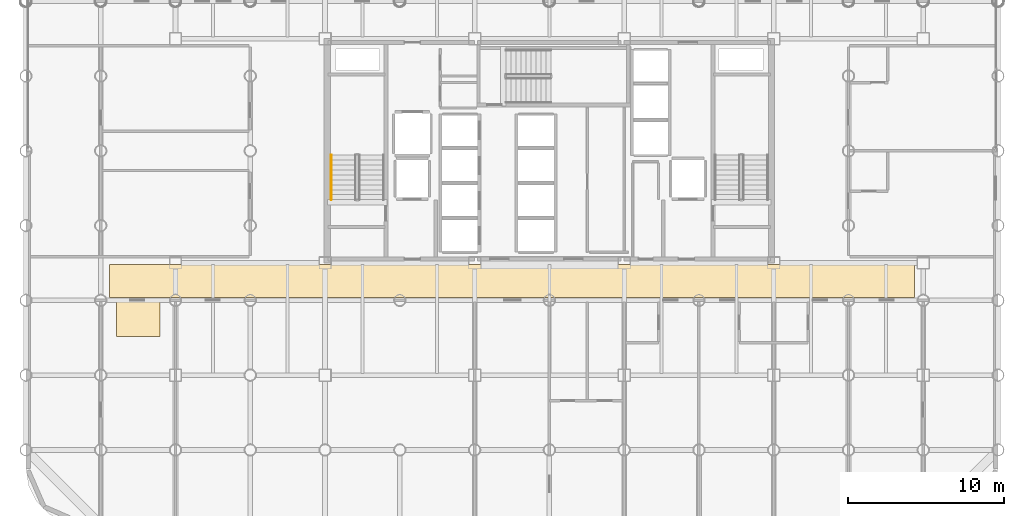
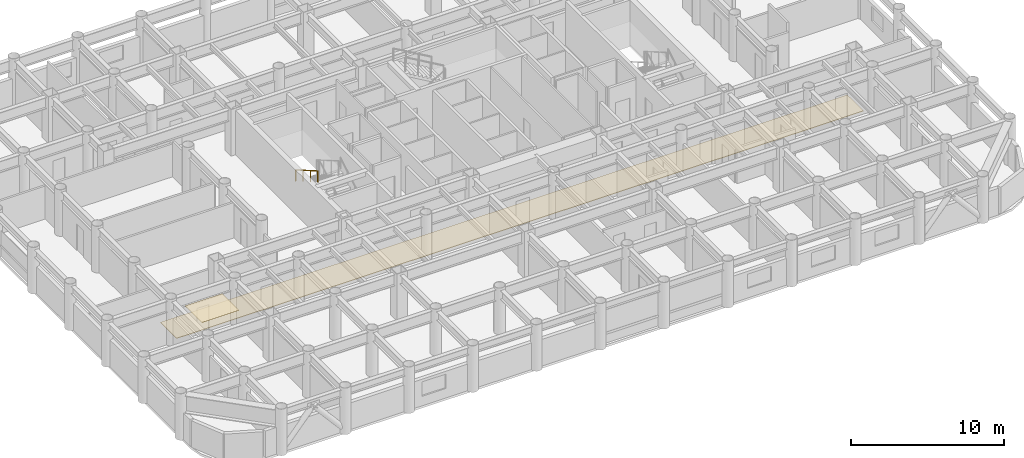
# One storey, part 21 of 22: 2 coverings, 1 railing.
"""IFC4 building model written with IfcOpenShell, lengths in metres."""

from ifc_helpers import new_model, si_unit, direction, frame, origin, origin_2d, place, context, subcontext, project, spatial, rectangle, circle, extrude, material, layer, layer_set, type_object, element, save


model = new_model("IFC4")

# Units and contexts
model_context = context("Model", 3, precision=1e-05, world=origin(), true_north=direction((0.0, 1.0)))
body_context = subcontext(model_context, "Body", "Model", "MODEL_VIEW")
ifc_project = project(units=[si_unit("LENGTHUNIT", "METRE"), si_unit("AREAUNIT", "SQUARE_METRE"), si_unit("VOLUMEUNIT", "CUBIC_METRE"), si_unit("PLANEANGLEUNIT", "RADIAN"), si_unit("MASSUNIT", "GRAM", prefix="KILO")], contexts=[model_context])

# Site, building, storey
site_placement = place(None, origin())
site = spatial("IfcSite", under=ifc_project, at=site_placement, CompositionType="ELEMENT")
building_placement = place(site_placement, origin())
building = spatial("IfcBuilding", under=site, at=building_placement, Name="Kallvorn Hotel Tower", CompositionType="ELEMENT")
storey_placement = place(building_placement, frame((0.0, 0.0, 48.5)))
storey = spatial("IfcBuildingStorey", under=building, at=storey_placement, Name="L10", CompositionType="ELEMENT", Elevation=48.5)

# Coverings
ifc_material_1 = material(Name="Mineral-fibre suspended acoustic ceiling tile")
ifc_layer_1 = layer(ifc_material_1, 0.030029296875)
ifc_layer_set_1 = layer_set([ifc_layer_1], Name="COV_CEILING_ACT")
covering_type_1 = type_object("IfcCoveringType", Name="COV_CEILING_ACT", PredefinedType="CEILING", material=ifc_layer_set_1)
covering_1_placement = place(storey_placement, frame((-26.39990234375, -10.820068359375, 2.634765625), z_axis=(0.0, 0.0, 1.0), x_axis=(1.0, 0.0, 0.0)))
element("IfcCovering", 1, at=covering_1_placement, inside=storey, type_object=covering_type_1, Name="L10 Suspended Acoustic Ceiling 01", PredefinedType="CEILING", context=body_context, shape_type="SweptSolid", body=[
    extrude(rectangle(XDim=2.800048828125, YDim=2.199951171875, at=origin_2d()), origin(), (0.0, 0.0, 1.0), 0.030029296875),
])
ifc_material_2 = material(Name="Honed Andean stone terrazzo floor finish", Category="masonry")
ifc_layer_2 = layer(ifc_material_2, 0.0400390625)
ifc_layer_set_2 = layer_set([ifc_layer_2], Name="COV_FLOOR_TERR")
covering_type_2 = type_object("IfcCoveringType", Name="COV_FLOOR_TERR", PredefinedType="FLOORING", material=ifc_layer_set_2)
covering_2_placement = place(storey_placement, frame((-2.39990234375, -8.35009765625, 0.0), z_axis=(0.0, 0.0, 1.0), x_axis=(1.0, 0.0, 0.0)))
element("IfcCovering", 2, at=covering_2_placement, inside=storey, type_object=covering_type_2, Name="L10 Honed Terrazzo Lobby Flooring 01", PredefinedType="FLOORING", context=body_context, shape_type="SweptSolid", body=[
    extrude(rectangle(XDim=51.699951171875, YDim=2.10009765625, at=origin_2d()), origin(), (0.0, 0.0, 1.0), 0.0400390625),
])

# Railing
ifc_material_3 = material(Name="Brushed stainless-steel tubular railing", Category="steel")
ifc_layer_3 = layer(ifc_material_3, 0.050048828125)
ifc_layer_set_3 = layer_set([ifc_layer_3], Name="RL_STAIR_HAND")
railing_type = type_object("IfcRailingType", Name="RL_STAIR_HAND", PredefinedType="HANDRAIL", material=ifc_layer_set_3)
railing_placement = place(storey_placement, frame((-14.010009765625, -0.260009765625, 2.034912109375)))
element("IfcRailing", 3, at=railing_placement, inside=storey, type_object=railing_type, Name="L10 ST1 stair handrail 2", PredefinedType="HANDRAIL", context=body_context, shape_type="SweptSolid", body=[
    extrude(circle(Radius=0.02392578125, at=origin_2d()), frame((0.0, 0.0, 0.8759765625), z_axis=(0.0, -0.865720918037, 0.500527014328), x_axis=(1.0, 0.0, 0.0)), (0.0, 0.0, 1.0), 3.32666015625),
    extrude(circle(Radius=0.02099609375, at=origin_2d()), origin(), (0.0, 0.0, 1.0), 0.851806640625),
    extrude(circle(Radius=0.02099609375, at=origin_2d()), frame((0.0, -0.9599609375, 0.554931640625)), (0.0, 0.0, 1.0), 0.851806640625),
    extrude(circle(Radius=0.02099609375, at=origin_2d()), frame((0.0, -1.919921875, 1.110107421875)), (0.0, 0.0, 1.0), 0.851806640625),
    extrude(circle(Radius=0.02099609375, at=origin_2d()), frame((0.0, -2.8798828125, 1.6650390625)), (0.0, 0.0, 1.0), 0.851806640625),
])

save(model, "model.ifc")
